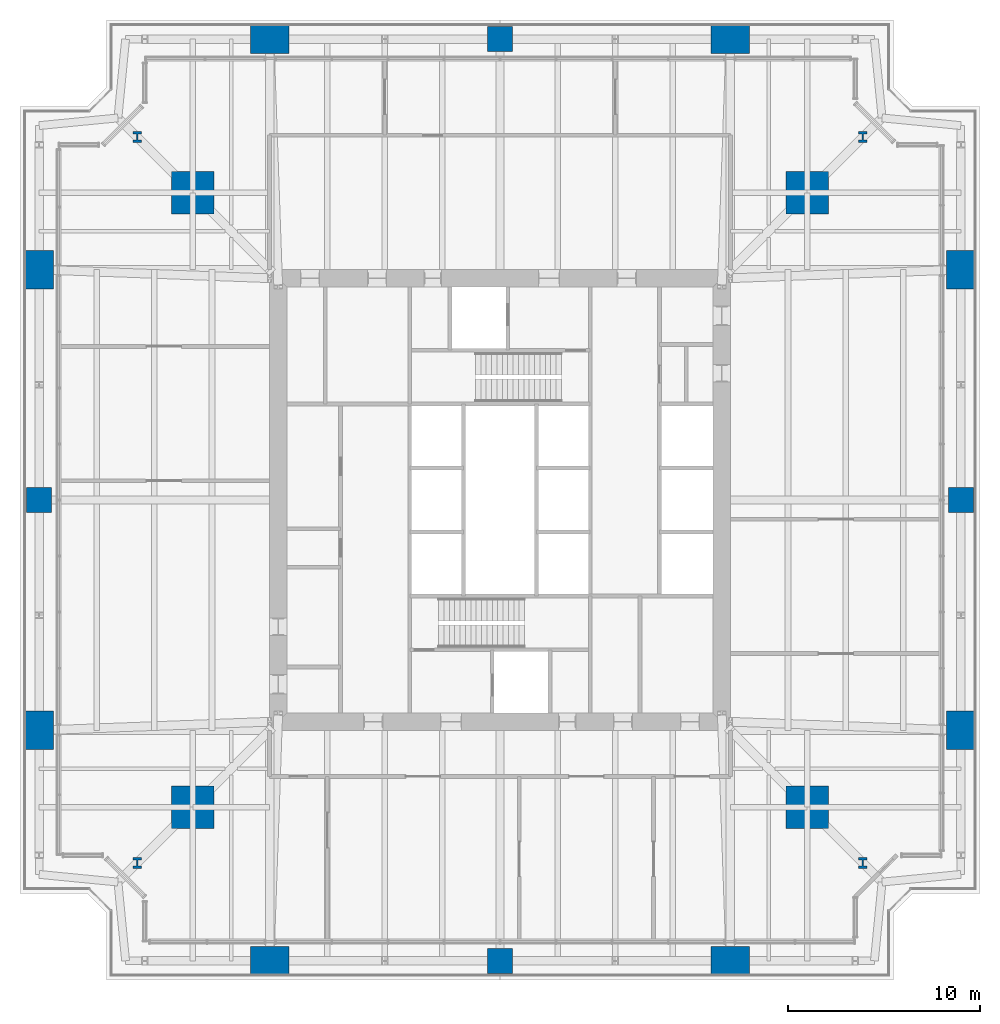
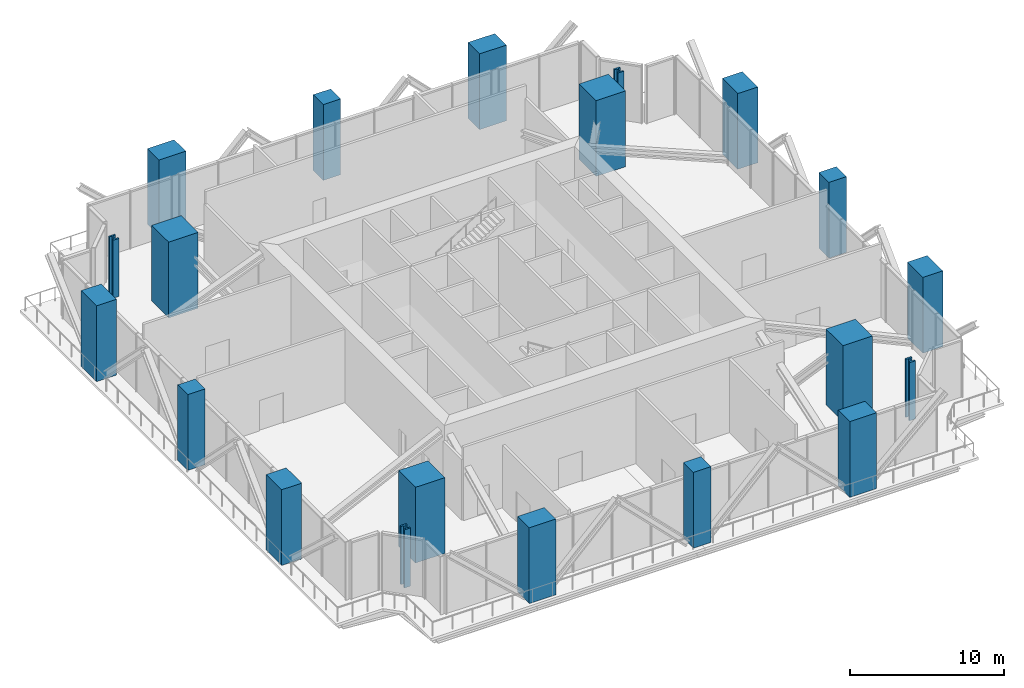
# One storey, part 1 of 14: 20 columns.
"""IFC4 building model written with IfcOpenShell, lengths in metres."""

from ifc_helpers import new_model, si_unit, direction, frame, origin, origin_2d, place, context, subcontext, project, spatial, rectangle, i_section, extrude, material, material_profile, profile_set, type_object, element, save


model = new_model("IFC4")

# Units and contexts
model_context = context("Model", 3, precision=1e-05, world=origin(), true_north=direction((0.0, 1.0)))
body_context = subcontext(model_context, "Body", "Model", "MODEL_VIEW")
ifc_project = project(units=[si_unit("LENGTHUNIT", "METRE"), si_unit("AREAUNIT", "SQUARE_METRE"), si_unit("VOLUMEUNIT", "CUBIC_METRE"), si_unit("PLANEANGLEUNIT", "RADIAN"), si_unit("MASSUNIT", "GRAM", prefix="KILO")], contexts=[model_context])

# Site, building, storey
site_placement = place(None, origin())
site = spatial("IfcSite", under=ifc_project, at=site_placement, CompositionType="ELEMENT")
building_placement = place(site_placement, origin())
building = spatial("IfcBuilding", under=site, at=building_placement, Name="Fenwick Lantern Interchange", CompositionType="ELEMENT")
storey_placement = place(building_placement, frame((0.0, 0.0, 162.39990234375)))
storey = spatial("IfcBuildingStorey", under=building, at=storey_placement, Name="L38", CompositionType="ELEMENT", Elevation=162.39990234375)

# Columns
ifc_material_1 = material(Name="Concrete f'c 70 MPa", Category="concrete")
ifc_material_profile_1 = material_profile(ifc_material_1, rectangle(XDim=2.199951171875, YDim=2.199951171875, at=origin_2d()), Name="RC2200X2200")
ifc_profile_set_1 = profile_set([ifc_material_profile_1], Name="Concrete f'c 70 MPa")
column_type_1 = type_object("IfcColumnType", Name="MEGA COLUMN RC2200X2200", PredefinedType="COLUMN", material=ifc_profile_set_1)
for number, where, z_axis, x_axis, name in (
    (1, (9.0, 9.0, 0.0), (0.0, 0.0, 1.0), (1.0, 0.0, 0.0), "L38/M1"),
    (2, (41.0, 9.0, 0.0), (0.0, 0.0, 1.0), (1.0, 0.0, 0.0), "L38/M2"),
    (3, (41.0, 41.0, 0.0), (0.0, 0.0, 1.0), (1.0, 0.0, 0.0), "L38/M3"),
    (4, (9.0, 41.0, 0.0), (0.0, 0.0, 1.0), (1.0, 0.0, 0.0), "L38/M4"),
):
    element("IfcColumn", number, at=place(storey_placement, frame(where, z_axis=z_axis, x_axis=x_axis)), inside=storey, type_object=column_type_1, Name=name, PredefinedType="COLUMN", context=body_context, shape_type="SweptSolid", body=[
        extrude(rectangle(XDim=2.199951171875, YDim=2.199951171875, at=origin_2d()), origin(), (0.0, 0.0, 1.0), 6.0),
    ])
ifc_material_profile_2 = material_profile(ifc_material_1, rectangle(XDim=1.300048828125, YDim=1.300048828125, at=origin_2d()), Name="RC1300X1300")
ifc_profile_set_2 = profile_set([ifc_material_profile_2], Name="Concrete f'c 70 MPa")
column_type_2 = type_object("IfcColumnType", Name="PERIMETER COLUMN RC1300X1300", PredefinedType="COLUMN", material=ifc_profile_set_2)
for number, where, z_axis, x_axis, name in (
    (5, (25.0, 1.0, 0.0), (0.0, 0.0, 1.0), (1.0, 0.0, 0.0), "L38/CS3"),
    (6, (49.0, 25.0, 0.0), (0.0, 0.0, 1.0), (1.0, 0.0, 0.0), "L38/CE3"),
    (7, (25.0, 49.0, 0.0), (0.0, 0.0, 1.0), (1.0, 0.0, 0.0), "L38/CN3"),
    (8, (1.0, 25.0, 0.0), (0.0, 0.0, 1.0), (1.0, 0.0, 0.0), "L38/CW3"),
):
    element("IfcColumn", number, at=place(storey_placement, frame(where, z_axis=z_axis, x_axis=x_axis)), inside=storey, type_object=column_type_2, Name=name, PredefinedType="COLUMN", context=body_context, shape_type="SweptSolid", body=[
        extrude(rectangle(XDim=1.300048828125, YDim=1.300048828125, at=origin_2d()), origin(), (0.0, 0.0, 1.0), 6.0),
    ])
ifc_material_profile_3 = material_profile(ifc_material_1, rectangle(XDim=1.5, YDim=2.0, at=origin_2d()), Name="RC1500X2000")
ifc_profile_set_3 = profile_set([ifc_material_profile_3], Name="Concrete f'c 70 MPa")
column_type_3 = type_object("IfcColumnType", Name="PERIMETER COLUMN RC1500X2000", PredefinedType="COLUMN", material=ifc_profile_set_3)
for number, where, z_axis, x_axis, name in (
    (9, (49.0, 13.0, 0.0), (0.0, 0.0, 1.0), (1.0, 0.0, 0.0), "L38/CE2"),
    (10, (49.0, 37.0, 0.0), (0.0, 0.0, 1.0), (1.0, 0.0, 0.0), "L38/CE4"),
    (11, (1.0, 37.0, 0.0), (0.0, 0.0, 1.0), (1.0, 0.0, 0.0), "L38/CW2"),
    (12, (1.0, 13.0, 0.0), (0.0, 0.0, 1.0), (1.0, 0.0, 0.0), "L38/CW4"),
):
    element("IfcColumn", number, at=place(storey_placement, frame(where, z_axis=z_axis, x_axis=x_axis)), inside=storey, type_object=column_type_3, Name=name, PredefinedType="COLUMN", context=body_context, shape_type="SweptSolid", body=[
        extrude(rectangle(XDim=1.5, YDim=2.0, at=origin_2d()), origin(), (0.0, 0.0, 1.0), 6.0),
    ])
ifc_material_profile_4 = material_profile(ifc_material_1, rectangle(XDim=2.0, YDim=1.5, at=origin_2d()), Name="RC2000X1500")
ifc_profile_set_4 = profile_set([ifc_material_profile_4], Name="Concrete f'c 70 MPa")
column_type_4 = type_object("IfcColumnType", Name="PERIMETER COLUMN RC2000X1500", PredefinedType="COLUMN", material=ifc_profile_set_4)
for number, where, z_axis, x_axis, name in (
    (13, (13.0, 1.0, 0.0), (0.0, 0.0, 1.0), (1.0, 0.0, 0.0), "L38/CS2"),
    (14, (37.0, 1.0, 0.0), (0.0, 0.0, 1.0), (1.0, 0.0, 0.0), "L38/CS4"),
    (15, (37.0, 49.0, 0.0), (0.0, 0.0, 1.0), (1.0, 0.0, 0.0), "L38/CN2"),
    (16, (13.0, 49.0, 0.0), (0.0, 0.0, 1.0), (1.0, 0.0, 0.0), "L38/CN4"),
):
    element("IfcColumn", number, at=place(storey_placement, frame(where, z_axis=z_axis, x_axis=x_axis)), inside=storey, type_object=column_type_4, Name=name, PredefinedType="COLUMN", context=body_context, shape_type="SweptSolid", body=[
        extrude(rectangle(XDim=2.0, YDim=1.5, at=origin_2d()), origin(), (0.0, 0.0, 1.0), 6.0),
    ])
ifc_material_2 = material(Name="Steel ASTM A992 Grade 50", Category="steel")
ifc_material_profile_5 = material_profile(ifc_material_2, i_section(OverallWidth=0.45458984375, OverallDepth=0.56884765625, WebThickness=0.077880859375, FlangeThickness=0.124755859375, at=origin_2d()), Name="W14X730")
ifc_profile_set_5 = profile_set([ifc_material_profile_5], Name="Steel ASTM A992 Grade 50")
column_type_5 = type_object("IfcColumnType", Name="PERIMETER COLUMN W14X730", PredefinedType="COLUMN", material=ifc_profile_set_5)
for number, where, z_axis, x_axis, name in (
    (17, (43.89990234375, 6.10009765625, 0.0), (0.0, 0.0, 1.0), (1.0, 0.0, 0.0), "L38/TPSR"),
    (18, (43.89990234375, 43.89990234375, 0.0), (0.0, 0.0, 1.0), (1.0, 0.0, 0.0), "L38/TPER"),
    (19, (6.10009765625, 43.89990234375, 0.0), (0.0, 0.0, 1.0), (1.0, 0.0, 0.0), "L38/TPNR"),
    (20, (6.10009765625, 6.10009765625, 0.0), (0.0, 0.0, 1.0), (1.0, 0.0, 0.0), "L38/TPWR"),
):
    element("IfcColumn", number, at=place(storey_placement, frame(where, z_axis=z_axis, x_axis=x_axis)), inside=storey, type_object=column_type_5, Name=name, PredefinedType="COLUMN", context=body_context, shape_type="SweptSolid", body=[
        extrude(i_section(OverallWidth=0.45458984375, OverallDepth=0.56884765625, WebThickness=0.077880859375, FlangeThickness=0.124755859375, at=origin_2d()), origin(), (0.0, 0.0, 1.0), 4.60009765625),
    ])

save(model, "model.ifc")
